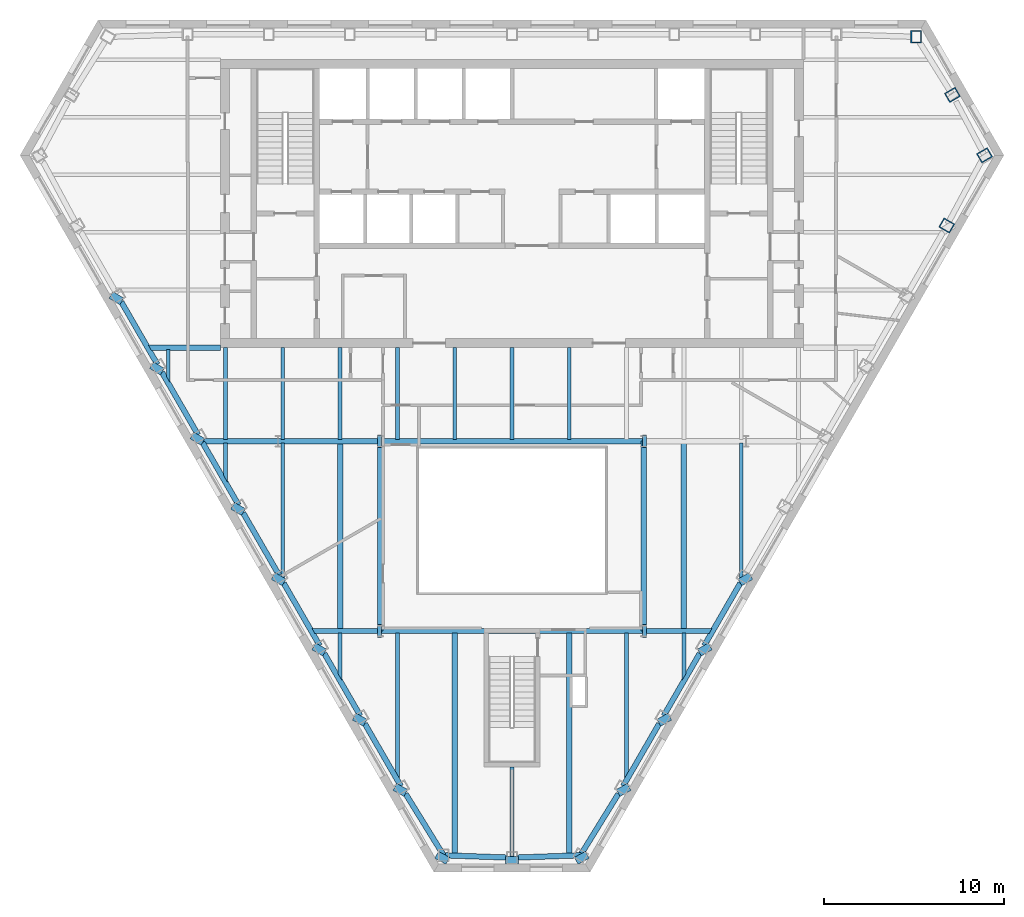
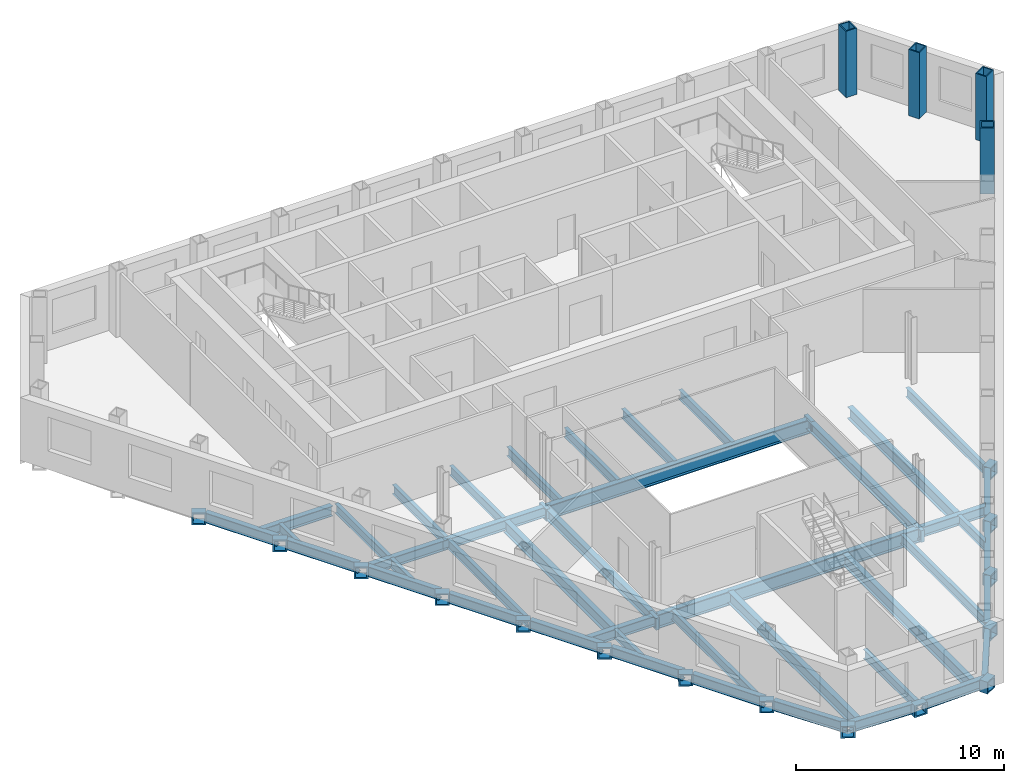
# One storey, part 2 of 11: 62 beams, 4 columns.
"""IFC4 building model written with IfcOpenShell, lengths in metres."""

from ifc_helpers import new_model, si_unit, direction, frame, origin, origin_2d, place, context, subcontext, project, spatial, hollow_rectangle, i_section, extrude, clip, halfspace, material, material_profile, profile_set, type_object, element, save


model = new_model("IFC4")

# Units and contexts
model_context = context("Model", 3, precision=1e-05, world=origin(), true_north=direction((0.0, 1.0)))
body_context = subcontext(model_context, "Body", "Model", "MODEL_VIEW")
ifc_project = project(units=[si_unit("LENGTHUNIT", "METRE"), si_unit("AREAUNIT", "SQUARE_METRE"), si_unit("VOLUMEUNIT", "CUBIC_METRE"), si_unit("PLANEANGLEUNIT", "RADIAN"), si_unit("MASSUNIT", "GRAM", prefix="KILO")], contexts=[model_context])

# Site, building, storey
site_placement = place(None, origin())
site = spatial("IfcSite", under=ifc_project, at=site_placement, CompositionType="ELEMENT")
building_placement = place(site_placement, origin())
building = spatial("IfcBuilding", under=site, at=building_placement, Name="Njiva Tower", CompositionType="ELEMENT")
storey_placement = place(building_placement, frame((0.0, 0.0, 151.5)))
storey = spatial("IfcBuildingStorey", under=building, at=storey_placement, Name="L32", CompositionType="ELEMENT", Elevation=151.5)

# Columns
ifc_material = material(Name="Steel S355 J2", Category="steel")
ifc_material_profile_1 = material_profile(ifc_material, hollow_rectangle(XDim=0.6, YDim=0.7, WallThickness=0.06, at=origin_2d()), Name="BOX 700x600x60")
ifc_profile_set_1 = profile_set([ifc_material_profile_1], Name="Steel S355 J2")
column_type = type_object("IfcColumnType", Name="C9 Perimeter tube column BOX 700x600x60", PredefinedType="COLUMN", material=ifc_profile_set_1)
for number, where, z_axis, x_axis, name in (
    (1, (22.456, 19.267, 0.0), (0.0, 0.0, 1.0), (-1.0, 0.0, 0.0), "Perimeter tube column S11-C01"),
    (2, (24.158, 8.78, 0.0), (0.0, 0.0, 1.0), (0.5, 0.866025403784, 0.0), "Perimeter tube column S11-C34"),
    (3, (26.258, 12.683, 0.0), (0.0, 0.0, 1.0), (-0.5, 0.866025403784, 0.0), "Perimeter tube column S11-C35"),
    (4, (24.472, 16.041, 0.0), (0.0, 0.0, 1.0), (-0.5, 0.866025403784, 0.0), "Perimeter tube column S11-C36"),
):
    element("IfcColumn", number, at=place(storey_placement, frame(where, z_axis=z_axis, x_axis=x_axis)), inside=storey, type_object=column_type, Name=name, PredefinedType="COLUMN", context=body_context, shape_type="SweptSolid", body=[
        extrude(hollow_rectangle(XDim=0.6, YDim=0.7, WallThickness=0.06, at=origin_2d()), origin(), (0.0, 0.0, 1.0), 3.9),
    ])

# Beams
ifc_material_profile_2 = material_profile(ifc_material, i_section(OverallWidth=0.3, OverallDepth=0.69, WebThickness=0.0145, FlangeThickness=0.027, at=origin_2d()), Name="HEA 700")
ifc_profile_set_2 = profile_set([ifc_material_profile_2], Name="Steel S355 J2")
beam_type_1 = type_object("IfcBeamType", Name="B12 Long-span floor joist HEA 700", PredefinedType="JOIST", material=ifc_profile_set_2)
beam_1_placement = place(storey_placement, frame((-9.55, -3.3, -0.545), z_axis=(0.0, -1.0, 0.0), x_axis=(1.0, 0.0, 0.0)))
element("IfcBeam", 5, at=beam_1_placement, inside=storey, type_object=beam_type_1, Name="Long-span floor joist S11-B059", PredefinedType="JOIST", context=body_context, shape_type="SweptSolid", body=[
    extrude(i_section(OverallWidth=0.3, OverallDepth=0.69, WebThickness=0.0145, FlangeThickness=0.027, at=origin_2d()), origin(), (0.0, 0.0, 1.0), 10.35),
])
for number, where, z_axis, x_axis, name in (
    (6, (-3.183, -13.851, -0.545), (0.0, -1.0, 0.0), (1.0, 0.0, 0.0), "Long-span floor joist S11-B063"),
    (7, (3.183, -13.851, -0.545), (0.0, -1.0, 0.0), (1.0, 0.0, 0.0), "Long-span floor joist S11-B068"),
):
    element("IfcBeam", number, at=place(storey_placement, frame(where, z_axis=z_axis, x_axis=x_axis)), inside=storey, type_object=beam_type_1, Name=name, PredefinedType="JOIST", context=body_context, shape_type="SweptSolid", body=[
        extrude(i_section(OverallWidth=0.3, OverallDepth=0.69, WebThickness=0.0145, FlangeThickness=0.027, at=origin_2d()), origin(), (0.0, 0.0, 1.0), 12.28),
    ])
beam_2_placement = place(storey_placement, frame((9.55, -3.3, -0.545), z_axis=(0.0, -1.0, 0.0), x_axis=(1.0, 0.0, 0.0)))
element("IfcBeam", 8, at=beam_2_placement, inside=storey, type_object=beam_type_1, Name="Long-span floor joist S11-B073", PredefinedType="JOIST", context=body_context, shape_type="SweptSolid", body=[
    extrude(i_section(OverallWidth=0.3, OverallDepth=0.69, WebThickness=0.0145, FlangeThickness=0.027, at=origin_2d()), origin(), (0.0, 0.0, 1.0), 10.35),
])
ifc_material_profile_3 = material_profile(ifc_material, hollow_rectangle(XDim=0.7, YDim=0.7, WallThickness=0.08, at=origin_2d()), Name="BOX 700x700x80")
ifc_profile_set_3 = profile_set([ifc_material_profile_3], Name="Steel S355 J2")
beam_type_2 = type_object("IfcBeamType", Name="B19 Column jog beam BOX 700x700x80", PredefinedType="BEAM", material=ifc_profile_set_3)
beam_3_placement = place(storey_placement, frame((-22.094, 4.563, -0.55), z_axis=(0.516220048366, 0.856455989334, 0.0), x_axis=(-0.856455989334, 0.516220048366, 0.0)))
element("IfcBeam", 9, at=beam_3_placement, inside=storey, type_object=beam_type_2, Name="Column jog beam S11-B026", PredefinedType="BEAM", context=body_context, shape_type="SweptSolid", body=[
    extrude(hollow_rectangle(XDim=0.7, YDim=0.7, WallThickness=0.08, at=origin_2d()), origin(), (0.0, 0.0, 1.0), 0.4262),
])
beam_4_placement = place(storey_placement, frame((-19.839, 0.657, -0.55), z_axis=(0.510377209409, 0.859950640511, 0.0), x_axis=(-0.859950640511, 0.510377209409, 0.0)))
element("IfcBeam", 10, at=beam_4_placement, inside=storey, type_object=beam_type_2, Name="Column jog beam S11-B027", PredefinedType="BEAM", context=body_context, shape_type="SweptSolid", body=[
    extrude(hollow_rectangle(XDim=0.7, YDim=0.7, WallThickness=0.08, at=origin_2d()), origin(), (0.0, 0.0, 1.0), 0.4291),
])
beam_5_placement = place(storey_placement, frame((-17.584, -3.247, -0.55), z_axis=(0.504161245348, 0.863609540643, 0.0), x_axis=(-0.863609540643, 0.504161245348, 0.0)))
element("IfcBeam", 11, at=beam_5_placement, inside=storey, type_object=beam_type_2, Name="Column jog beam S11-B028", PredefinedType="BEAM", context=body_context, shape_type="SweptSolid", body=[
    extrude(hollow_rectangle(XDim=0.7, YDim=0.7, WallThickness=0.08, at=origin_2d()), origin(), (0.0, 0.0, 1.0), 0.4284),
])
beam_6_placement = place(storey_placement, frame((-15.33, -7.152, -0.55), z_axis=(0.499387282788, 0.866378867349, 0.0), x_axis=(-0.866378867349, 0.499387282788, 0.0)))
element("IfcBeam", 12, at=beam_6_placement, inside=storey, type_object=beam_type_2, Name="Column jog beam S11-B029", PredefinedType="BEAM", context=body_context, shape_type="SweptSolid", body=[
    extrude(hollow_rectangle(XDim=0.7, YDim=0.7, WallThickness=0.08, at=origin_2d()), origin(), (0.0, 0.0, 1.0), 0.4305),
])
beam_7_placement = place(storey_placement, frame((-13.075, -11.056, -0.55), z_axis=(0.49663870818, 0.867957368502, 0.0), x_axis=(-0.867957368502, 0.49663870818, 0.0)))
element("IfcBeam", 13, at=beam_7_placement, inside=storey, type_object=beam_type_2, Name="Column jog beam S11-B030", PredefinedType="BEAM", context=body_context, shape_type="SweptSolid", body=[
    extrude(hollow_rectangle(XDim=0.7, YDim=0.7, WallThickness=0.08, at=origin_2d()), origin(), (0.0, 0.0, 1.0), 0.4309),
])
beam_8_placement = place(storey_placement, frame((-10.82, -14.961, -0.55), z_axis=(0.489380054182, 0.872070617879, 0.0), x_axis=(-0.872070617879, 0.489380054182, 0.0)))
element("IfcBeam", 14, at=beam_8_placement, inside=storey, type_object=beam_type_2, Name="Column jog beam S11-B031", PredefinedType="BEAM", context=body_context, shape_type="SweptSolid", body=[
    extrude(hollow_rectangle(XDim=0.7, YDim=0.7, WallThickness=0.08, at=origin_2d()), origin(), (0.0, 0.0, 1.0), 0.4312),
])
beam_9_placement = place(storey_placement, frame((-8.566, -18.866, -0.55), z_axis=(0.485642931179, 0.874157276122, 0.0), x_axis=(-0.874157276122, 0.485642931179, 0.0)))
element("IfcBeam", 15, at=beam_9_placement, inside=storey, type_object=beam_type_2, Name="Column jog beam S11-B032", PredefinedType="BEAM", context=body_context, shape_type="SweptSolid", body=[
    extrude(hollow_rectangle(XDim=0.7, YDim=0.7, WallThickness=0.08, at=origin_2d()), origin(), (0.0, 0.0, 1.0), 0.4324),
])
beam_10_placement = place(storey_placement, frame((-6.311, -22.771, -0.55), z_axis=(0.480946745691, 0.87674980913, 0.0), x_axis=(-0.87674980913, 0.480946745691, 0.0)))
element("IfcBeam", 16, at=beam_10_placement, inside=storey, type_object=beam_type_2, Name="Column jog beam S11-B035", PredefinedType="BEAM", context=body_context, shape_type="SweptSolid", body=[
    extrude(hollow_rectangle(XDim=0.7, YDim=0.7, WallThickness=0.08, at=origin_2d()), origin(), (0.0, 0.0, 1.0), 0.4346),
])
beam_11_placement = place(storey_placement, frame((-3.979, -26.543, -0.55), z_axis=(0.472730785937, 0.88120690194, 0.0), x_axis=(-0.88120690194, 0.472730785937, 0.0)))
element("IfcBeam", 17, at=beam_11_placement, inside=storey, type_object=beam_type_2, Name="Column jog beam S11-B036", PredefinedType="BEAM", context=body_context, shape_type="SweptSolid", body=[
    extrude(hollow_rectangle(XDim=0.7, YDim=0.7, WallThickness=0.08, at=origin_2d()), origin(), (0.0, 0.0, 1.0), 0.4358),
])
beam_12_placement = place(storey_placement, frame((0.0, -26.683, -0.55), z_axis=(0.0, 1.0, 0.0), x_axis=(-1.0, 0.0, 0.0)))
element("IfcBeam", 18, at=beam_12_placement, inside=storey, type_object=beam_type_2, Name="Column jog beam S11-B037", PredefinedType="BEAM", context=body_context, shape_type="SweptSolid", body=[
    extrude(hollow_rectangle(XDim=0.7, YDim=0.7, WallThickness=0.08, at=origin_2d()), origin(), (0.0, 0.0, 1.0), 0.397),
])
beam_13_placement = place(storey_placement, frame((3.979, -26.543, -0.55), z_axis=(-0.472730785937, 0.88120690194, 0.0), x_axis=(-0.88120690194, -0.472730785937, 0.0)))
element("IfcBeam", 19, at=beam_13_placement, inside=storey, type_object=beam_type_2, Name="Column jog beam S11-B038", PredefinedType="BEAM", context=body_context, shape_type="SweptSolid", body=[
    extrude(hollow_rectangle(XDim=0.7, YDim=0.7, WallThickness=0.08, at=origin_2d()), origin(), (0.0, 0.0, 1.0), 0.4358),
])
beam_14_placement = place(storey_placement, frame((6.311, -22.771, -0.55), z_axis=(-0.480946745691, 0.87674980913, 0.0), x_axis=(-0.87674980913, -0.480946745691, 0.0)))
element("IfcBeam", 20, at=beam_14_placement, inside=storey, type_object=beam_type_2, Name="Column jog beam S11-B039", PredefinedType="BEAM", context=body_context, shape_type="SweptSolid", body=[
    extrude(hollow_rectangle(XDim=0.7, YDim=0.7, WallThickness=0.08, at=origin_2d()), origin(), (0.0, 0.0, 1.0), 0.4346),
])
beam_15_placement = place(storey_placement, frame((8.566, -18.866, -0.55), z_axis=(-0.485642931179, 0.874157276122, 0.0), x_axis=(-0.874157276122, -0.485642931179, 0.0)))
element("IfcBeam", 21, at=beam_15_placement, inside=storey, type_object=beam_type_2, Name="Column jog beam S11-B042", PredefinedType="BEAM", context=body_context, shape_type="SweptSolid", body=[
    extrude(hollow_rectangle(XDim=0.7, YDim=0.7, WallThickness=0.08, at=origin_2d()), origin(), (0.0, 0.0, 1.0), 0.4324),
])
beam_16_placement = place(storey_placement, frame((10.82, -14.961, -0.55), z_axis=(-0.489380054182, 0.872070617879, 0.0), x_axis=(-0.872070617879, -0.489380054182, 0.0)))
element("IfcBeam", 22, at=beam_16_placement, inside=storey, type_object=beam_type_2, Name="Column jog beam S11-B043", PredefinedType="BEAM", context=body_context, shape_type="SweptSolid", body=[
    extrude(hollow_rectangle(XDim=0.7, YDim=0.7, WallThickness=0.08, at=origin_2d()), origin(), (0.0, 0.0, 1.0), 0.4312),
])
beam_17_placement = place(storey_placement, frame((13.075, -11.056, -0.55), z_axis=(-0.49663870818, 0.867957368502, 0.0), x_axis=(-0.867957368502, -0.49663870818, 0.0)))
element("IfcBeam", 23, at=beam_17_placement, inside=storey, type_object=beam_type_2, Name="Column jog beam S11-B044", PredefinedType="BEAM", context=body_context, shape_type="SweptSolid", body=[
    extrude(hollow_rectangle(XDim=0.7, YDim=0.7, WallThickness=0.08, at=origin_2d()), origin(), (0.0, 0.0, 1.0), 0.4309),
])
for number, where, z_axis, x_axis, name in (
    (24, (7.46, -3.2, -0.55), (-1.0, 0.0, 0.0), (0.0, -1.0, 0.0), "Column jog beam S11-B041"),
    (25, (-7.46, -3.2, -0.55), (1.0, 0.0, 0.0), (0.0, 1.0, 0.0), "Column jog beam S11-B034"),
    (26, (7.46, -13.75, -0.55), (-1.0, 0.0, 0.0), (0.0, -1.0, 0.0), "Column jog beam S11-B040"),
    (27, (-7.46, -13.75, -0.55), (1.0, 0.0, 0.0), (0.0, 1.0, 0.0), "Column jog beam S11-B033"),
):
    element("IfcBeam", number, at=place(storey_placement, frame(where, z_axis=z_axis, x_axis=x_axis)), inside=storey, type_object=beam_type_2, Name=name, PredefinedType="BEAM", context=body_context, shape_type="SweptSolid", body=[
        extrude(hollow_rectangle(XDim=0.7, YDim=0.7, WallThickness=0.08, at=origin_2d()), origin(), (0.0, 0.0, 1.0), 0.2),
    ])
ifc_material_profile_4 = material_profile(ifc_material, i_section(OverallWidth=0.3, OverallDepth=0.59, WebThickness=0.013, FlangeThickness=0.025, at=origin_2d()), Name="HEA 600")
ifc_profile_set_4 = profile_set([ifc_material_profile_4], Name="Steel S355 J2")
beam_type_3 = type_object("IfcBeamType", Name="B27 Short-span spandrel beam HEA 600", PredefinedType="SPANDREL", material=ifc_profile_set_4)
beam_18_placement = place(storey_placement, frame((-21.705, 4.532, -0.495), z_axis=(0.499895202697, -0.866085900082, 0.0), x_axis=(0.866085900082, 0.499895202697, 0.0)))
element("IfcBeam", 28, at=beam_18_placement, inside=storey, type_object=beam_type_3, Name="Short-span spandrel beam S11-B098", PredefinedType="SPANDREL", context=body_context, shape_type="SweptSolid", body=[
    extrude(i_section(OverallWidth=0.3, OverallDepth=0.59, WebThickness=0.013, FlangeThickness=0.025, at=origin_2d()), origin(), (0.0, 0.0, 1.0), 4.0088),
])
beam_19_placement = place(storey_placement, frame((-19.451, 0.627, -0.495), z_axis=(0.500003221507, -0.866023543838, 0.0), x_axis=(0.866023543838, 0.500003221507, 0.0)))
element("IfcBeam", 29, at=beam_19_placement, inside=storey, type_object=beam_type_3, Name="Short-span spandrel beam S11-B100", PredefinedType="SPANDREL", context=body_context, shape_type="SweptSolid", body=[
    extrude(i_section(OverallWidth=0.3, OverallDepth=0.59, WebThickness=0.013, FlangeThickness=0.025, at=origin_2d()), origin(), (0.0, 0.0, 1.0), 4.008),
])
beam_20_placement = place(storey_placement, frame((-17.197, -3.277, -0.495), z_axis=(0.500082280366, -0.865977893981, 0.0), x_axis=(0.865977893981, 0.500082280366, 0.0)))
element("IfcBeam", 30, at=beam_20_placement, inside=storey, type_object=beam_type_3, Name="Short-span spandrel beam S11-B104", PredefinedType="SPANDREL", context=body_context, shape_type="SweptSolid", body=[
    extrude(i_section(OverallWidth=0.3, OverallDepth=0.59, WebThickness=0.013, FlangeThickness=0.025, at=origin_2d()), origin(), (0.0, 0.0, 1.0), 4.0093),
])
beam_21_placement = place(storey_placement, frame((-14.942, -7.182, -0.495), z_axis=(0.499895202697, -0.866085900082, 0.0), x_axis=(0.866085900082, 0.499895202697, 0.0)))
element("IfcBeam", 31, at=beam_21_placement, inside=storey, type_object=beam_type_3, Name="Short-span spandrel beam S11-B106", PredefinedType="SPANDREL", context=body_context, shape_type="SweptSolid", body=[
    extrude(i_section(OverallWidth=0.3, OverallDepth=0.59, WebThickness=0.013, FlangeThickness=0.025, at=origin_2d()), origin(), (0.0, 0.0, 1.0), 4.0088),
])
beam_22_placement = place(storey_placement, frame((-12.688, -11.087, -0.495), z_axis=(0.500003221507, -0.866023543838, 0.0), x_axis=(0.866023543838, 0.500003221507, 0.0)))
element("IfcBeam", 32, at=beam_22_placement, inside=storey, type_object=beam_type_3, Name="Short-span spandrel beam S11-B110", PredefinedType="SPANDREL", context=body_context, shape_type="SweptSolid", body=[
    extrude(i_section(OverallWidth=0.3, OverallDepth=0.59, WebThickness=0.013, FlangeThickness=0.025, at=origin_2d()), origin(), (0.0, 0.0, 1.0), 4.008),
])
beam_23_placement = place(storey_placement, frame((-10.434, -14.991, -0.495), z_axis=(0.500082280366, -0.865977893981, 0.0), x_axis=(0.865977893981, 0.500082280366, 0.0)))
element("IfcBeam", 33, at=beam_23_placement, inside=storey, type_object=beam_type_3, Name="Short-span spandrel beam S11-B112", PredefinedType="SPANDREL", context=body_context, shape_type="SweptSolid", body=[
    extrude(i_section(OverallWidth=0.3, OverallDepth=0.59, WebThickness=0.013, FlangeThickness=0.025, at=origin_2d()), origin(), (0.0, 0.0, 1.0), 4.0093),
])
beam_24_placement = place(storey_placement, frame((-8.179, -18.896, -0.495), z_axis=(0.499895202697, -0.866085900082, 0.0), x_axis=(0.866085900082, 0.499895202697, 0.0)))
element("IfcBeam", 34, at=beam_24_placement, inside=storey, type_object=beam_type_3, Name="Short-span spandrel beam S11-B116", PredefinedType="SPANDREL", context=body_context, shape_type="SweptSolid", body=[
    extrude(i_section(OverallWidth=0.3, OverallDepth=0.59, WebThickness=0.013, FlangeThickness=0.025, at=origin_2d()), origin(), (0.0, 0.0, 1.0), 4.0088),
])
beam_25_placement = place(storey_placement, frame((-5.913, -22.795, -0.495), z_axis=(0.525690245224, -0.850676064126, 0.0), x_axis=(0.850676064126, 0.525690245224, 0.0)))
element("IfcBeam", 35, at=beam_25_placement, inside=storey, type_object=beam_type_3, Name="Short-span spandrel beam S11-B118", PredefinedType="SPANDREL", context=body_context, shape_type="Clipping", body=[
    clip(extrude(i_section(OverallWidth=0.3, OverallDepth=0.59, WebThickness=0.013, FlangeThickness=0.025, at=origin_2d()), origin(), (0.0, 0.0, 1.0), 4.1039), halfspace(frame((-0.0265, 0.0, 3.9746), z_axis=(-0.525690245224, 0.0, 0.850676064126), x_axis=(0.0, 1.0, 0.0)), False)),
])
beam_26_placement = place(storey_placement, frame((-3.697, -26.216, -0.495), z_axis=(0.999384101945, -0.035091548559, 0.0), x_axis=(0.035091548559, 0.999384101945, 0.0)))
element("IfcBeam", 36, at=beam_26_placement, inside=storey, type_object=beam_type_3, Name="Short-span spandrel beam S11-B120", PredefinedType="SPANDREL", context=body_context, shape_type="SweptSolid", body=[
    extrude(i_section(OverallWidth=0.3, OverallDepth=0.59, WebThickness=0.013, FlangeThickness=0.025, at=origin_2d()), origin(), (0.0, 0.0, 1.0), 3.4481),
])
beam_27_placement = place(storey_placement, frame((0.251, -26.337, -0.495), z_axis=(0.999387614567, 0.03499136823, 0.0), x_axis=(-0.03499136823, 0.999387614567, 0.0)))
element("IfcBeam", 37, at=beam_27_placement, inside=storey, type_object=beam_type_3, Name="Short-span spandrel beam S11-B123", PredefinedType="SPANDREL", context=body_context, shape_type="Clipping", body=[
    clip(extrude(i_section(OverallWidth=0.3, OverallDepth=0.59, WebThickness=0.013, FlangeThickness=0.025, at=origin_2d()), origin(), (0.0, 0.0, 1.0), 3.6292), halfspace(frame((-0.0263, 0.0, 3.4986), z_axis=(-0.529995272296, 0.0, 0.848000596311), x_axis=(0.0, 1.0, 0.0)), False)),
])
beam_28_placement = place(storey_placement, frame((3.848, -26.137, -0.495), z_axis=(0.525644613802, 0.850704261175, 0.0), x_axis=(-0.850704261175, 0.525644613802, 0.0)))
element("IfcBeam", 38, at=beam_28_placement, inside=storey, type_object=beam_type_3, Name="Short-span spandrel beam S11-B125", PredefinedType="SPANDREL", context=body_context, shape_type="SweptSolid", body=[
    extrude(i_section(OverallWidth=0.3, OverallDepth=0.59, WebThickness=0.013, FlangeThickness=0.025, at=origin_2d()), origin(), (0.0, 0.0, 1.0), 3.9285),
])
beam_29_placement = place(storey_placement, frame((6.175, -22.368, -0.495), z_axis=(0.499895202697, 0.866085900082, 0.0), x_axis=(-0.866085900082, 0.499895202697, 0.0)))
element("IfcBeam", 39, at=beam_29_placement, inside=storey, type_object=beam_type_3, Name="Short-span spandrel beam S11-B129", PredefinedType="SPANDREL", context=body_context, shape_type="SweptSolid", body=[
    extrude(i_section(OverallWidth=0.3, OverallDepth=0.59, WebThickness=0.013, FlangeThickness=0.025, at=origin_2d()), origin(), (0.0, 0.0, 1.0), 4.0088),
])
beam_30_placement = place(storey_placement, frame((8.429, -18.463, -0.495), z_axis=(0.500082280366, 0.865977893981, 0.0), x_axis=(-0.865977893981, 0.500082280366, 0.0)))
element("IfcBeam", 40, at=beam_30_placement, inside=storey, type_object=beam_type_3, Name="Short-span spandrel beam S11-B131", PredefinedType="SPANDREL", context=body_context, shape_type="SweptSolid", body=[
    extrude(i_section(OverallWidth=0.3, OverallDepth=0.59, WebThickness=0.013, FlangeThickness=0.025, at=origin_2d()), origin(), (0.0, 0.0, 1.0), 4.0093),
])
beam_31_placement = place(storey_placement, frame((10.684, -14.558, -0.495), z_axis=(0.500003221507, 0.866023543838, 0.0), x_axis=(-0.866023543838, 0.500003221507, 0.0)))
element("IfcBeam", 41, at=beam_31_placement, inside=storey, type_object=beam_type_3, Name="Short-span spandrel beam S11-B135", PredefinedType="SPANDREL", context=body_context, shape_type="SweptSolid", body=[
    extrude(i_section(OverallWidth=0.3, OverallDepth=0.59, WebThickness=0.013, FlangeThickness=0.025, at=origin_2d()), origin(), (0.0, 0.0, 1.0), 4.008),
])
ifc_material_profile_5 = material_profile(ifc_material, i_section(OverallWidth=0.3, OverallDepth=0.59, WebThickness=0.013, FlangeThickness=0.025, at=origin_2d()), Name="HEA 600")
ifc_profile_set_5 = profile_set([ifc_material_profile_5], Name="Steel S355 J2")
beam_type_4 = type_object("IfcBeamType", Name="B28 Floor girder HEA 600", PredefinedType="BEAM", material=ifc_profile_set_5)
beam_32_placement = place(storey_placement, frame((-13.0, -3.2, -0.495), z_axis=(1.0, 0.0, 0.0), x_axis=(0.0, 1.0, 0.0)))
element("IfcBeam", 42, at=beam_32_placement, inside=storey, type_object=beam_type_4, Name="Floor girder S11-B016", PredefinedType="BEAM", context=body_context, shape_type="SweptSolid", body=[
    extrude(i_section(OverallWidth=0.3, OverallDepth=0.59, WebThickness=0.013, FlangeThickness=0.025, at=origin_2d()), origin(), (0.0, 0.0, 1.0), 5.68),
])
ifc_material_profile_6 = material_profile(ifc_material, i_section(OverallWidth=0.3, OverallDepth=0.59, WebThickness=0.013, FlangeThickness=0.025, at=origin_2d()), Name="HEA 600")
ifc_profile_set_6 = profile_set([ifc_material_profile_6], Name="Steel S355 J2")
beam_type_5 = type_object("IfcBeamType", Name="B29 Short-span floor girder HEA 600", PredefinedType="BEAM", material=ifc_profile_set_6)
beam_33_placement = place(storey_placement, frame((-17.312, -3.2, -0.495), z_axis=(1.0, 0.0, 0.0), x_axis=(0.0, 1.0, 0.0)))
element("IfcBeam", 43, at=beam_33_placement, inside=storey, type_object=beam_type_5, Name="Short-span floor girder S11-B014", PredefinedType="BEAM", context=body_context, shape_type="Clipping", body=[
    clip(extrude(i_section(OverallWidth=0.3, OverallDepth=0.59, WebThickness=0.013, FlangeThickness=0.025, at=origin_2d()), origin(), (0.0, 0.0, 1.0), 4.312), halfspace(frame((-0.025, 0.0, 0.1217), z_axis=(-0.499998009787, 0.0, -0.866026552831), x_axis=(0.0, -1.0, 0.0)), False)),
])
beam_34_placement = place(storey_placement, frame((-11.142, -13.75, -0.495), z_axis=(1.0, 0.0, 0.0), x_axis=(0.0, 1.0, 0.0)))
element("IfcBeam", 44, at=beam_34_placement, inside=storey, type_object=beam_type_5, Name="Short-span floor girder S11-B017", PredefinedType="BEAM", context=body_context, shape_type="Clipping", body=[
    clip(extrude(i_section(OverallWidth=0.3, OverallDepth=0.59, WebThickness=0.013, FlangeThickness=0.025, at=origin_2d()), origin(), (0.0, 0.0, 1.0), 3.822), halfspace(frame((-0.025, 0.0, 0.1217), z_axis=(-0.499998009787, 0.0, -0.866026552831), x_axis=(0.0, -1.0, 0.0)), False)),
])
beam_35_placement = place(storey_placement, frame((7.32, -13.75, -0.495), z_axis=(1.0, 0.0, 0.0), x_axis=(0.0, 1.0, 0.0)))
element("IfcBeam", 45, at=beam_35_placement, inside=storey, type_object=beam_type_5, Name="Short-span floor girder S11-B018", PredefinedType="BEAM", context=body_context, shape_type="Clipping", body=[
    clip(extrude(i_section(OverallWidth=0.3, OverallDepth=0.59, WebThickness=0.013, FlangeThickness=0.025, at=origin_2d()), origin(), (0.0, 0.0, 1.0), 3.822), halfspace(frame((-0.025, 0.0, 3.7003), z_axis=(-0.499998009787, 0.0, 0.866026552831), x_axis=(0.0, 1.0, 0.0)), False)),
])
beam_36_placement = place(storey_placement, frame((-20.235, 2.0, -0.495), z_axis=(1.0, 0.0, 0.0), x_axis=(0.0, 1.0, 0.0)))
element("IfcBeam", 46, at=beam_36_placement, inside=storey, type_object=beam_type_5, Name="Short-span floor girder S11-B013", PredefinedType="BEAM", context=body_context, shape_type="Clipping", body=[
    clip(extrude(i_section(OverallWidth=0.3, OverallDepth=0.59, WebThickness=0.013, FlangeThickness=0.025, at=origin_2d()), origin(), (0.0, 0.0, 1.0), 4.035), halfspace(frame((-0.025, 0.0, 0.1214), z_axis=(-0.499998009787, 0.0, -0.866026552831), x_axis=(0.0, -1.0, 0.0)), False)),
])
ifc_material_profile_7 = material_profile(ifc_material, i_section(OverallWidth=0.3, OverallDepth=0.59, WebThickness=0.013, FlangeThickness=0.025, at=origin_2d()), Name="HEA 600")
ifc_profile_set_7 = profile_set([ifc_material_profile_7], Name="Steel S355 J2")
beam_type_6 = type_object("IfcBeamType", Name="B30 Long-span atrium trimmer beam HEA 600", PredefinedType="BEAM", material=ifc_profile_set_7)
for number, where, z_axis, x_axis, name in (
    (47, (7.32, -13.75, -0.495), (0.0, 1.0, 0.0), (-1.0, 0.0, 0.0), "Long-span atrium trimmer beam S11-B085"),
    (48, (-7.32, -3.2, -0.495), (0.0, -1.0, 0.0), (1.0, 0.0, 0.0), "Long-span atrium trimmer beam S11-B081"),
):
    element("IfcBeam", number, at=place(storey_placement, frame(where, z_axis=z_axis, x_axis=x_axis)), inside=storey, type_object=beam_type_6, Name=name, PredefinedType="BEAM", context=body_context, shape_type="SweptSolid", body=[
        extrude(i_section(OverallWidth=0.3, OverallDepth=0.59, WebThickness=0.013, FlangeThickness=0.025, at=origin_2d()), origin(), (0.0, 0.0, 1.0), 10.55),
    ])
ifc_material_profile_8 = material_profile(ifc_material, i_section(OverallWidth=0.21, OverallDepth=0.55, WebThickness=0.0111, FlangeThickness=0.0172, at=origin_2d()), Name="IPE 550")
ifc_profile_set_8 = profile_set([ifc_material_profile_8], Name="Steel S355 J2")
beam_type_7 = type_object("IfcBeamType", Name="B31 Short-span floor joist IPE 550", PredefinedType="JOIST", material=ifc_profile_set_8)
beam_37_placement = place(storey_placement, frame((-19.1, 1.9, -0.475), z_axis=(0.0, -1.0, 0.0), x_axis=(1.0, 0.0, 0.0)))
element("IfcBeam", 49, at=beam_37_placement, inside=storey, type_object=beam_type_7, Name="Short-span floor joist S11-B052", PredefinedType="JOIST", context=body_context, shape_type="Clipping", body=[
    clip(extrude(i_section(OverallWidth=0.21, OverallDepth=0.55, WebThickness=0.0111, FlangeThickness=0.0172, at=origin_2d()), origin(), (0.0, 0.0, 1.0), 1.883), halfspace(frame((-0.0433, 0.0, 1.6055), z_axis=(-0.866026552831, 0.0, 0.499998009787), x_axis=(0.0, 1.0, 0.0)), False)),
])
beam_38_placement = place(storey_placement, frame((-15.917, -3.3, -0.475), z_axis=(0.0, -1.0, 0.0), x_axis=(1.0, 0.0, 0.0)))
element("IfcBeam", 50, at=beam_38_placement, inside=storey, type_object=beam_type_7, Name="Short-span floor joist S11-B053", PredefinedType="JOIST", context=body_context, shape_type="Clipping", body=[
    clip(extrude(i_section(OverallWidth=0.21, OverallDepth=0.55, WebThickness=0.0111, FlangeThickness=0.0172, at=origin_2d()), origin(), (0.0, 0.0, 1.0), 2.196), halfspace(frame((-0.043, 0.0, 1.9192), z_axis=(-0.866026552831, 0.0, 0.499998009787), x_axis=(0.0, 1.0, 0.0)), False)),
])
beam_39_placement = place(storey_placement, frame((-9.55, -13.85, -0.475), z_axis=(0.0, -1.0, 0.0), x_axis=(1.0, 0.0, 0.0)))
element("IfcBeam", 51, at=beam_39_placement, inside=storey, type_object=beam_type_7, Name="Short-span floor joist S11-B058", PredefinedType="JOIST", context=body_context, shape_type="Clipping", body=[
    clip(extrude(i_section(OverallWidth=0.21, OverallDepth=0.55, WebThickness=0.0111, FlangeThickness=0.0172, at=origin_2d()), origin(), (0.0, 0.0, 1.0), 2.674), halfspace(frame((-0.0433, 0.0, 2.3966), z_axis=(-0.866026552831, 0.0, 0.499998009787), x_axis=(0.0, 1.0, 0.0)), False)),
])
beam_40_placement = place(storey_placement, frame((9.55, -13.85, -0.475), z_axis=(0.0, -1.0, 0.0), x_axis=(1.0, 0.0, 0.0)))
element("IfcBeam", 52, at=beam_40_placement, inside=storey, type_object=beam_type_7, Name="Short-span floor joist S11-B072", PredefinedType="JOIST", context=body_context, shape_type="Clipping", body=[
    clip(extrude(i_section(OverallWidth=0.21, OverallDepth=0.55, WebThickness=0.0111, FlangeThickness=0.0172, at=origin_2d()), origin(), (0.0, 0.0, 1.0), 2.674), halfspace(frame((0.0433, 0.0, 2.3966), z_axis=(0.866026552831, 0.0, 0.499998009787), x_axis=(0.0, 1.0, 0.0)), False)),
])
ifc_material_profile_9 = material_profile(ifc_material, i_section(OverallWidth=0.21, OverallDepth=0.55, WebThickness=0.0111, FlangeThickness=0.0172, at=origin_2d()), Name="IPE 550")
ifc_profile_set_9 = profile_set([ifc_material_profile_9], Name="Steel S355 J2")
beam_type_8 = type_object("IfcBeamType", Name="B32 Floor joist IPE 550", PredefinedType="JOIST", material=ifc_profile_set_9)
for number, where, z_axis, x_axis, name in (
    (53, (-15.917, 1.995, -0.475), (0.0, -1.0, 0.0), (1.0, 0.0, 0.0), "Floor joist S11-B054"),
    (54, (-12.733, 1.995, -0.475), (0.0, -1.0, 0.0), (1.0, 0.0, 0.0), "Floor joist S11-B057"),
):
    element("IfcBeam", number, at=place(storey_placement, frame(where, z_axis=z_axis, x_axis=x_axis)), inside=storey, type_object=beam_type_8, Name=name, PredefinedType="JOIST", context=body_context, shape_type="SweptSolid", body=[
        extrude(i_section(OverallWidth=0.21, OverallDepth=0.55, WebThickness=0.0111, FlangeThickness=0.0172, at=origin_2d()), origin(), (0.0, 0.0, 1.0), 5.095),
    ])
beam_41_placement = place(storey_placement, frame((-12.733, -3.3, -0.475), z_axis=(0.0, -1.0, 0.0), x_axis=(1.0, 0.0, 0.0)))
element("IfcBeam", 55, at=beam_41_placement, inside=storey, type_object=beam_type_8, Name="Floor joist S11-B055", PredefinedType="JOIST", context=body_context, shape_type="Clipping", body=[
    clip(extrude(i_section(OverallWidth=0.21, OverallDepth=0.55, WebThickness=0.0111, FlangeThickness=0.0172, at=origin_2d()), origin(), (0.0, 0.0, 1.0), 7.846), halfspace(frame((-0.0436, 0.0, 7.5688), z_axis=(-0.866026552831, 0.0, 0.499998009787), x_axis=(0.0, 1.0, 0.0)), False)),
])
beam_42_placement = place(storey_placement, frame((-9.55, 1.995, -0.475), z_axis=(0.0, -1.0, 0.0), x_axis=(1.0, 0.0, 0.0)))
element("IfcBeam", 56, at=beam_42_placement, inside=storey, type_object=beam_type_8, Name="Floor joist S11-B060", PredefinedType="JOIST", context=body_context, shape_type="SweptSolid", body=[
    extrude(i_section(OverallWidth=0.21, OverallDepth=0.55, WebThickness=0.0111, FlangeThickness=0.0172, at=origin_2d()), origin(), (0.0, 0.0, 1.0), 5.095),
])
beam_43_placement = place(storey_placement, frame((-6.367, 1.995, -0.475), z_axis=(0.0, -1.0, 0.0), x_axis=(1.0, 0.0, 0.0)))
element("IfcBeam", 57, at=beam_43_placement, inside=storey, type_object=beam_type_8, Name="Floor joist S11-B062", PredefinedType="JOIST", context=body_context, shape_type="SweptSolid", body=[
    extrude(i_section(OverallWidth=0.21, OverallDepth=0.55, WebThickness=0.0111, FlangeThickness=0.0172, at=origin_2d()), origin(), (0.0, 0.0, 1.0), 5.094),
])
beam_44_placement = place(storey_placement, frame((-6.367, -13.851, -0.475), z_axis=(0.0, -1.0, 0.0), x_axis=(1.0, 0.0, 0.0)))
element("IfcBeam", 58, at=beam_44_placement, inside=storey, type_object=beam_type_8, Name="Floor joist S11-B061", PredefinedType="JOIST", context=body_context, shape_type="Clipping", body=[
    clip(extrude(i_section(OverallWidth=0.21, OverallDepth=0.55, WebThickness=0.0111, FlangeThickness=0.0172, at=origin_2d()), origin(), (0.0, 0.0, 1.0), 8.186), halfspace(frame((-0.043, 0.0, 7.9093), z_axis=(-0.866026552831, 0.0, 0.499998009787), x_axis=(0.0, 1.0, 0.0)), False)),
])
for number, where, z_axis, x_axis, name in (
    (59, (-3.183, 1.995, -0.475), (0.0, -1.0, 0.0), (1.0, 0.0, 0.0), "Floor joist S11-B064"),
    (60, (0.0, 1.995, -0.475), (0.0, -1.0, 0.0), (1.0, 0.0, 0.0), "Floor joist S11-B067"),
):
    element("IfcBeam", number, at=place(storey_placement, frame(where, z_axis=z_axis, x_axis=x_axis)), inside=storey, type_object=beam_type_8, Name=name, PredefinedType="JOIST", context=body_context, shape_type="SweptSolid", body=[
        extrude(i_section(OverallWidth=0.21, OverallDepth=0.55, WebThickness=0.0111, FlangeThickness=0.0172, at=origin_2d()), origin(), (0.0, 0.0, 1.0), 5.094),
    ])
beam_45_placement = place(storey_placement, frame((0.0, -21.3, -0.475), z_axis=(0.0, -1.0, 0.0), x_axis=(1.0, 0.0, 0.0)))
element("IfcBeam", 61, at=beam_45_placement, inside=storey, type_object=beam_type_8, Name="Floor joist S11-B065", PredefinedType="JOIST", context=body_context, shape_type="SweptSolid", body=[
    extrude(i_section(OverallWidth=0.21, OverallDepth=0.55, WebThickness=0.0111, FlangeThickness=0.0172, at=origin_2d()), origin(), (0.0, 0.0, 1.0), 5.023),
])
beam_46_placement = place(storey_placement, frame((3.183, 1.995, -0.475), z_axis=(0.0, -1.0, 0.0), x_axis=(1.0, 0.0, 0.0)))
element("IfcBeam", 62, at=beam_46_placement, inside=storey, type_object=beam_type_8, Name="Floor joist S11-B069", PredefinedType="JOIST", context=body_context, shape_type="SweptSolid", body=[
    extrude(i_section(OverallWidth=0.21, OverallDepth=0.55, WebThickness=0.0111, FlangeThickness=0.0172, at=origin_2d()), origin(), (0.0, 0.0, 1.0), 5.094),
])
beam_47_placement = place(storey_placement, frame((6.367, -13.851, -0.475), z_axis=(0.0, -1.0, 0.0), x_axis=(1.0, 0.0, 0.0)))
element("IfcBeam", 63, at=beam_47_placement, inside=storey, type_object=beam_type_8, Name="Floor joist S11-B070", PredefinedType="JOIST", context=body_context, shape_type="Clipping", body=[
    clip(extrude(i_section(OverallWidth=0.21, OverallDepth=0.55, WebThickness=0.0111, FlangeThickness=0.0172, at=origin_2d()), origin(), (0.0, 0.0, 1.0), 8.186), halfspace(frame((0.043, 0.0, 7.9093), z_axis=(0.866026552831, 0.0, 0.499998009787), x_axis=(0.0, 1.0, 0.0)), False)),
])
beam_48_placement = place(storey_placement, frame((12.733, -3.3, -0.475), z_axis=(0.0, -1.0, 0.0), x_axis=(1.0, 0.0, 0.0)))
element("IfcBeam", 64, at=beam_48_placement, inside=storey, type_object=beam_type_8, Name="Floor joist S11-B075", PredefinedType="JOIST", context=body_context, shape_type="Clipping", body=[
    clip(extrude(i_section(OverallWidth=0.21, OverallDepth=0.55, WebThickness=0.0111, FlangeThickness=0.0172, at=origin_2d()), origin(), (0.0, 0.0, 1.0), 7.846), halfspace(frame((0.0436, 0.0, 7.5688), z_axis=(0.866026552831, 0.0, 0.499998009787), x_axis=(0.0, 1.0, 0.0)), False)),
])
ifc_material_profile_10 = material_profile(ifc_material, i_section(OverallWidth=0.303, OverallDepth=0.814, WebThickness=0.021, FlangeThickness=0.04, at=origin_2d()), Name="HEM 800")
ifc_profile_set_10 = profile_set([ifc_material_profile_10], Name="Steel S355 J2")
beam_type_9 = type_object("IfcBeamType", Name="B36 Long-span atrium trimmer beam HEM 800", PredefinedType="BEAM", material=ifc_profile_set_10)
for number, where, z_axis, x_axis, name in (
    (65, (-7.32, -13.75, -0.607), (1.0, 0.0, 0.0), (0.0, 1.0, 0.0), "Long-span atrium trimmer beam S11-B082"),
    (66, (7.32, -3.2, -0.607), (-1.0, 0.0, 0.0), (0.0, -1.0, 0.0), "Long-span atrium trimmer beam S11-B084"),
):
    element("IfcBeam", number, at=place(storey_placement, frame(where, z_axis=z_axis, x_axis=x_axis)), inside=storey, type_object=beam_type_9, Name=name, PredefinedType="BEAM", context=body_context, shape_type="SweptSolid", body=[
        extrude(i_section(OverallWidth=0.303, OverallDepth=0.814, WebThickness=0.021, FlangeThickness=0.04, at=origin_2d()), origin(), (0.0, 0.0, 1.0), 14.64),
    ])

save(model, "model.ifc")
